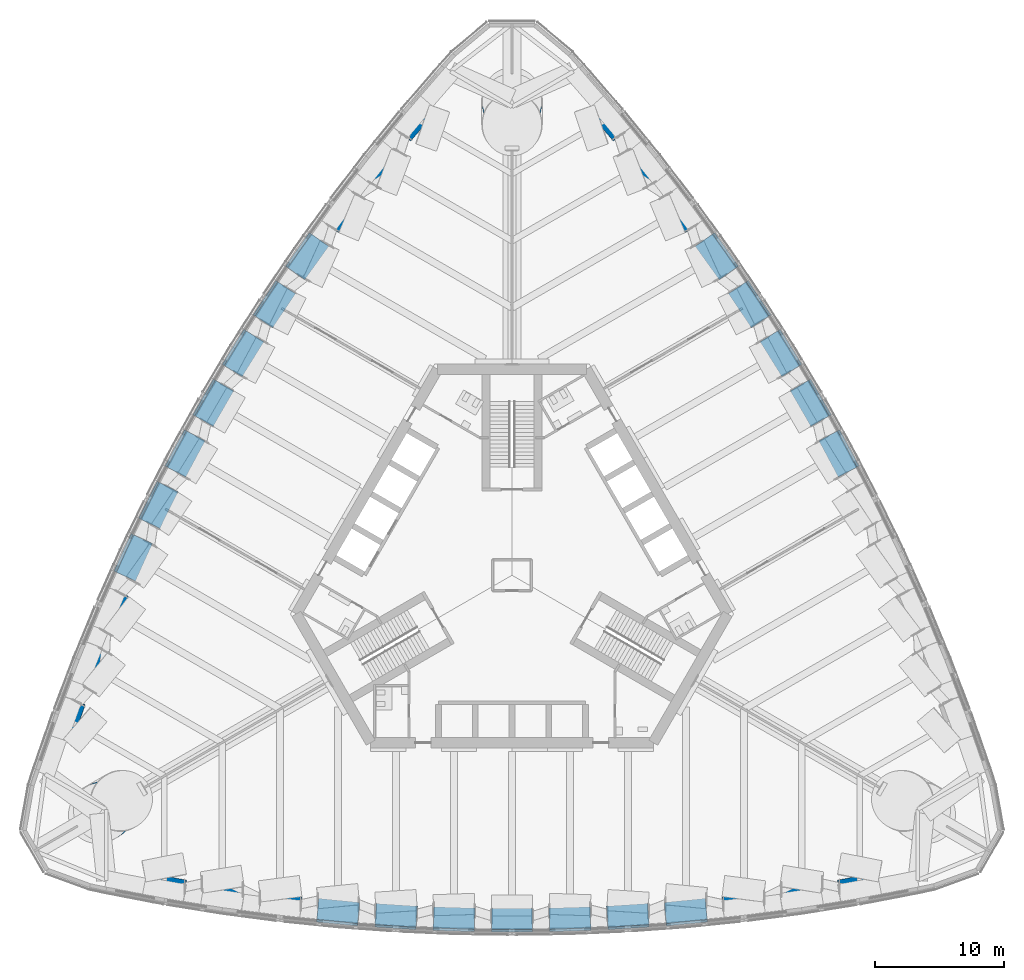
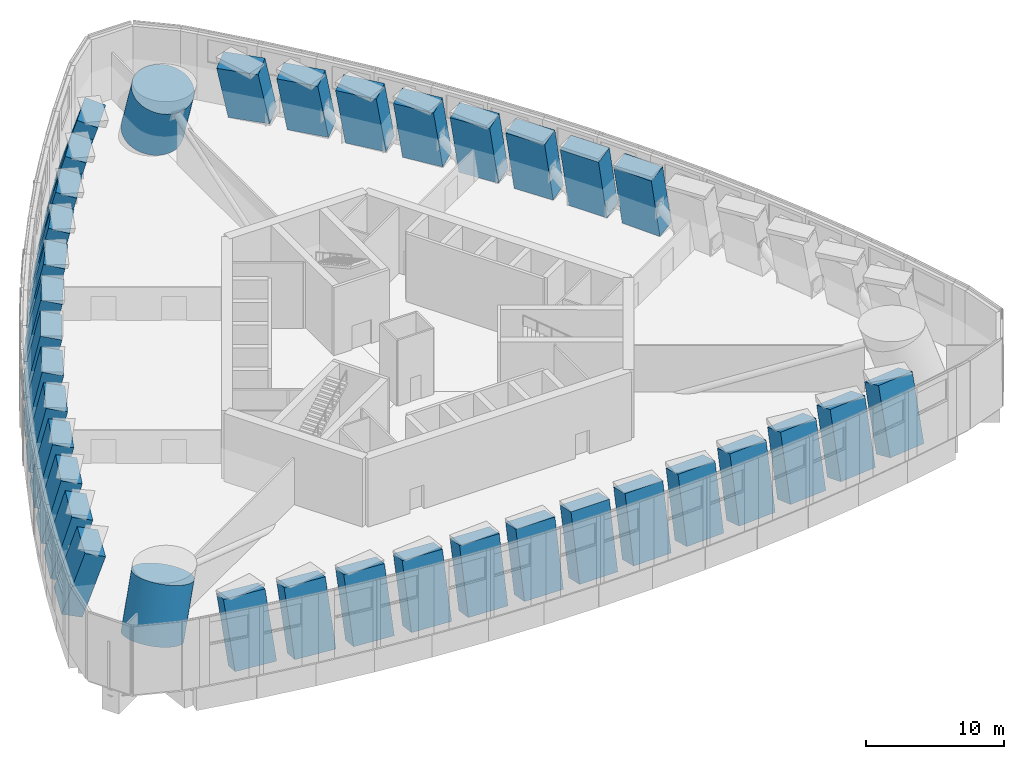
# One storey, part 1 of 28: 36 columns.
"""IFC4 building model written with IfcOpenShell, lengths in metres."""

from ifc_helpers import new_model, si_unit, direction, frame, origin, origin_2d, place, context, subcontext, project, spatial, rectangle, circle, extrude, clip, halfspace, material, material_profile, profile_set, type_object, element, save


model = new_model("IFC4")

# Units and contexts
model_context = context("Model", 3, precision=1e-05, world=origin(), true_north=direction((0.0, 1.0)))
body_context = subcontext(model_context, "Body", "Model", "MODEL_VIEW")
ifc_project = project(units=[si_unit("LENGTHUNIT", "METRE"), si_unit("AREAUNIT", "SQUARE_METRE"), si_unit("VOLUMEUNIT", "CUBIC_METRE"), si_unit("PLANEANGLEUNIT", "RADIAN"), si_unit("MASSUNIT", "GRAM", prefix="KILO")], contexts=[model_context])

# Site, building, storey
site_placement = place(None, origin())
site = spatial("IfcSite", under=ifc_project, at=site_placement, CompositionType="ELEMENT")
building_placement = place(site_placement, origin())
building = spatial("IfcBuilding", under=site, at=building_placement, Name="Trefoil Bronze Tower", CompositionType="ELEMENT")
storey_placement = place(building_placement, frame((0.0, 0.0, 92.10009765625)))
storey = spatial("IfcBuildingStorey", under=building, at=storey_placement, Name="L21", CompositionType="ELEMENT", Elevation=92.10009765625)

# Columns
ifc_material_1 = material(Name="Concrete B80", Category="concrete")
ifc_material_profile_1 = material_profile(ifc_material_1, circle(Radius=2.300048828125, at=origin_2d()), Name="RC D4600")
ifc_profile_set_1 = profile_set([ifc_material_profile_1], Name="Concrete B80")
column_type_1 = type_object("IfcColumnType", Name="Mega column RC D4600", PredefinedType="COLUMN", material=ifc_profile_set_1)
column_1_placement = place(storey_placement, frame((0.0, 37.0, 0.0), z_axis=(0.0, -0.316227766017, 0.948683298051), x_axis=(1.0, 0.0, 0.0)))
element("IfcColumn", 1, at=column_1_placement, inside=storey, type_object=column_type_1, Name="Mega column K2 L21", PredefinedType="COLUMN", context=body_context, shape_type="Clipping", body=[
    clip(clip(extrude(circle(Radius=2.300048828125, at=origin_2d()), origin(), (0.0, 0.0, 1.0), 6.324462890625), halfspace(frame((0.0, 0.0, 0.767578125), z_axis=(0.0, 0.0, 1.0), x_axis=(0.0, 1.0, 0.0)), True)), halfspace(frame((0.0, 0.0, 5.556884765625), z_axis=(0.0, 0.0, -1.0), x_axis=(0.0, -1.0, 0.0)), True)),
])
column_2_placement = place(storey_placement, frame((-32.04296875, -18.5, 0.0), z_axis=(0.273879842323, 0.158113013975, 0.948678083852), x_axis=(-0.499972520799, 0.866041268327, 0.0)))
element("IfcColumn", 2, at=column_2_placement, inside=storey, type_object=column_type_1, Name="Mega column K3 L21", PredefinedType="COLUMN", context=body_context, shape_type="Clipping", body=[
    clip(clip(extrude(circle(Radius=2.300048828125, at=origin_2d()), origin(), (0.0, 0.0, 1.0), 6.32470703125), halfspace(frame((0.0, 0.0, 0.767578125), z_axis=(1.0033762616878938e-05, 1.6488271940395816e-05, 0.9999999998137303), x_axis=(0.0, 0.9999999998640685, -1.6488271941225806e-05)), True)), halfspace(frame((0.0, 0.0, 5.556884765625), z_axis=(-1.0033762616878938e-05, -1.6488271940395816e-05, -0.9999999998137303), x_axis=(0.0, -0.9999999998640685, 1.6488271941225806e-05)), True)),
])
ifc_material_2 = material(Name="Concrete B80", Category="concrete")
ifc_material_profile_2 = material_profile(ifc_material_2, rectangle(XDim=3.199951171875, YDim=1.60009765625, at=origin_2d()), Name="RC 3200x1600")
ifc_profile_set_2 = profile_set([ifc_material_profile_2], Name="Concrete B80")
column_type_2 = type_object("IfcColumnType", Name="Tube column RC 3200x1600", PredefinedType="COLUMN", material=ifc_profile_set_2)
column_3_placement = place(storey_placement, frame((-27.0, -24.56787109375, 0.0), z_axis=(0.0, 0.30053695487, 0.953770170826), x_axis=(0.982838110914, -0.175942156194, 0.055440106509)))
element("IfcColumn", 3, at=column_3_placement, inside=storey, type_object=column_type_2, Name="Tube column F1/-6 L21", PredefinedType="COLUMN", context=body_context, shape_type="Clipping", body=[
    clip(clip(extrude(rectangle(XDim=3.199951171875, YDim=1.60009765625, at=origin_2d()), origin(), (0.0, 0.0, 1.0), 6.290771484375), halfspace(frame((0.0, 0.0, 0.341552734375), z_axis=(-3.2847543766298393e-06, 1.7500832742156636e-05, 0.9999999998414657), x_axis=(0.0, 0.9999999998468605, -1.750083274225105e-05)), True)), halfspace(frame((0.0, 0.0, 5.948974609375), z_axis=(3.2847543766298393e-06, -1.7500832742156636e-05, -0.9999999998414657), x_axis=(0.0, -0.9999999998468605, 1.750083274225105e-05)), True)),
])
column_4_placement = place(storey_placement, frame((-22.5, -25.29931640625, 0.0), z_axis=(0.0, 0.273609589814, 0.961840835254), x_axis=(0.987654538404, -0.150670187934, 0.042860322422)))
element("IfcColumn", 4, at=column_4_placement, inside=storey, type_object=column_type_2, Name="Tube column F1/-5 L21", PredefinedType="COLUMN", context=body_context, shape_type="Clipping", body=[
    clip(clip(extrude(rectangle(XDim=3.199951171875, YDim=1.60009765625, at=origin_2d()), origin(), (0.0, 0.0, 1.0), 6.238037109375), halfspace(frame((0.0, 0.0, 0.296875), z_axis=(9.26665270004068e-07, -5.84256875185707e-06, 0.9999999999825029), x_axis=(0.0, 0.9999999999829322, 5.842568751859578e-06)), True)), halfspace(frame((0.0, 0.0, 5.94091796875), z_axis=(-9.26665270004068e-07, 5.84256875185707e-06, -0.9999999999825029), x_axis=(0.0, -0.9999999999829322, -5.842568751859578e-06)), True)),
])
column_5_placement = place(storey_placement, frame((-18.0, -25.895263671875, 0.0), z_axis=(0.0, 0.251347573911, 0.967896893832), x_axis=(0.99202489659, -0.121995732405, 0.031680369638)))
element("IfcColumn", 5, at=column_5_placement, inside=storey, type_object=column_type_2, Name="Tube column F1/-4 L21", PredefinedType="COLUMN", context=body_context, shape_type="Clipping", body=[
    clip(clip(extrude(rectangle(XDim=3.199951171875, YDim=1.60009765625, at=origin_2d()), origin(), (0.0, 0.0, 1.0), 6.198974609375), halfspace(frame((0.0, 0.0, 0.25927734375), z_axis=(1.1412695798511396e-06, -8.982459558687372e-06, 0.9999999999590065), x_axis=(0.0, 0.9999999999596577, 8.982459558693222e-06)), True)), halfspace(frame((0.0, 0.0, 5.939453125), z_axis=(-1.1412695798511396e-06, 8.982459558687372e-06, -0.9999999999590065), x_axis=(0.0, -0.9999999999596577, -8.982459558693222e-06)), True)),
])
column_6_placement = place(storey_placement, frame((-13.5, -26.35693359375, 0.0), z_axis=(0.0, 0.233962430988, 0.972245638142), x_axis=(0.995484390526, -0.092290788963, 0.022208973223)))
element("IfcColumn", 6, at=column_6_placement, inside=storey, type_object=column_type_2, Name="Tube column F1/-3 L21", PredefinedType="COLUMN", context=body_context, shape_type="Clipping", body=[
    clip(clip(extrude(rectangle(XDim=3.199951171875, YDim=1.60009765625, at=origin_2d()), origin(), (0.0, 0.0, 1.0), 6.17138671875), halfspace(frame((0.0, 0.0, 0.22900390625), z_axis=(-7.961173195819571e-07, 8.348898311999475e-06, 0.999999999964831), x_axis=(0.0, 0.999999999965148, -8.348898312002121e-06)), True)), halfspace(frame((0.0, 0.0, 5.94189453125), z_axis=(7.961173195819571e-07, -8.348898311999475e-06, -0.999999999964831), x_axis=(0.0, -0.999999999965148, 8.348898312002121e-06)), True)),
])
column_7_placement = place(storey_placement, frame((-9.0, -26.68603515625, 0.0), z_axis=(0.0, 0.221566223375, 0.975145326943), x_axis=(0.997984339214, -0.061883391518, 0.014060744557)))
element("IfcColumn", 7, at=column_7_placement, inside=storey, type_object=column_type_2, Name="Tube column F1/-2 L21", PredefinedType="COLUMN", context=body_context, shape_type="Clipping", body=[
    clip(clip(extrude(rectangle(XDim=3.199951171875, YDim=1.60009765625, at=origin_2d()), origin(), (0.0, 0.0, 1.0), 6.15283203125), halfspace(frame((0.0, 0.0, 0.205322265625), z_axis=(1.2096909779088507e-06, -1.90236306124858e-05, 0.9999999998183191), x_axis=(0.0, 0.9999999998190507, 1.902363061249972e-05)), True)), halfspace(frame((0.0, 0.0, 5.947265625), z_axis=(-1.2096909779088507e-06, 1.90236306124858e-05, -0.9999999998183191), x_axis=(0.0, -0.9999999998190507, -1.902363061249972e-05)), True)),
])
column_8_placement = place(storey_placement, frame((-4.5, -26.883056640625, 0.0), z_axis=(0.0, 0.21407617963, 0.976816968175), x_axis=(0.999494845392, -0.031044559284, 0.006803629407)))
element("IfcColumn", 8, at=column_8_placement, inside=storey, type_object=column_type_2, Name="Tube column F1/-1 L21", PredefinedType="COLUMN", context=body_context, shape_type="Clipping", body=[
    clip(clip(extrude(rectangle(XDim=3.199951171875, YDim=1.60009765625, at=origin_2d()), origin(), (0.0, 0.0, 1.0), 6.142333984375), halfspace(frame((0.0, 0.0, 0.187255859375), z_axis=(-4.4783653662186507e-07, 1.4084057108593173e-05, 0.9999999999007194), x_axis=(0.0, 0.9999999999008197, -1.4084057108594584e-05)), True)), halfspace(frame((0.0, 0.0, 5.954833984375), z_axis=(4.4783653662186507e-07, -1.4084057108593173e-05, -0.9999999999007194), x_axis=(0.0, -0.9999999999008197, 1.4084057108594584e-05)), True)),
])
column_9_placement = place(storey_placement, frame((0.0, -26.94873046875, 0.0), z_axis=(0.0, 0.211608999998, 0.977354404052), x_axis=(1.0, 0.0, 0.0)))
element("IfcColumn", 9, at=column_9_placement, inside=storey, type_object=column_type_2, Name="Tube column F1/+0 L21", PredefinedType="COLUMN", context=body_context, shape_type="Clipping", body=[
    clip(clip(extrude(rectangle(XDim=3.199951171875, YDim=1.60009765625, at=origin_2d()), origin(), (0.0, 0.0, 1.0), 6.138916015625), halfspace(frame((0.0, 0.0, 0.174072265625), z_axis=(6.659859586810649e-22, -5.438188048573211e-06, 0.999999999985213), x_axis=(0.0, 0.999999999985213, 5.438188048573211e-06)), True)), halfspace(frame((0.0, 0.0, 5.964599609375), z_axis=(-6.659859586810649e-22, 5.438188048573211e-06, -0.999999999985213), x_axis=(0.0, -0.999999999985213, -5.438188048573211e-06)), True)),
])
column_10_placement = place(storey_placement, frame((4.5, -26.883056640625, 0.0), z_axis=(0.0, 0.21407617963, 0.976816968175), x_axis=(0.999494845392, 0.031044559284, -0.006803629407)))
element("IfcColumn", 10, at=column_10_placement, inside=storey, type_object=column_type_2, Name="Tube column F1/+1 L21", PredefinedType="COLUMN", context=body_context, shape_type="Clipping", body=[
    clip(clip(extrude(rectangle(XDim=3.199951171875, YDim=1.60009765625, at=origin_2d()), origin(), (0.0, 0.0, 1.0), 6.142333984375), halfspace(frame((0.0, 0.0, 0.187255859375), z_axis=(4.4783653662186507e-07, 1.4084057108593173e-05, 0.9999999999007194), x_axis=(0.0, 0.9999999999008197, -1.4084057108594584e-05)), True)), halfspace(frame((0.0, 0.0, 5.954833984375), z_axis=(-4.4783653662186507e-07, -1.4084057108593173e-05, -0.9999999999007194), x_axis=(0.0, -0.9999999999008197, 1.4084057108594584e-05)), True)),
])
column_11_placement = place(storey_placement, frame((9.0, -26.68603515625, 0.0), z_axis=(0.0, 0.221566223375, 0.975145326943), x_axis=(0.997984339214, 0.061883391518, -0.014060744557)))
element("IfcColumn", 11, at=column_11_placement, inside=storey, type_object=column_type_2, Name="Tube column F1/+2 L21", PredefinedType="COLUMN", context=body_context, shape_type="Clipping", body=[
    clip(clip(extrude(rectangle(XDim=3.199951171875, YDim=1.60009765625, at=origin_2d()), origin(), (0.0, 0.0, 1.0), 6.15283203125), halfspace(frame((0.0, 0.0, 0.205322265625), z_axis=(-1.2096909779088507e-06, -1.90236306124858e-05, 0.9999999998183191), x_axis=(0.0, 0.9999999998190507, 1.902363061249972e-05)), True)), halfspace(frame((0.0, 0.0, 5.947265625), z_axis=(1.2096909779088507e-06, 1.90236306124858e-05, -0.9999999998183191), x_axis=(0.0, -0.9999999998190507, -1.902363061249972e-05)), True)),
])
column_12_placement = place(storey_placement, frame((13.5, -26.35693359375, 0.0), z_axis=(0.0, 0.233962430988, 0.972245638142), x_axis=(0.995484390526, 0.092290788963, -0.022208973223)))
element("IfcColumn", 12, at=column_12_placement, inside=storey, type_object=column_type_2, Name="Tube column F1/+3 L21", PredefinedType="COLUMN", context=body_context, shape_type="Clipping", body=[
    clip(clip(extrude(rectangle(XDim=3.199951171875, YDim=1.60009765625, at=origin_2d()), origin(), (0.0, 0.0, 1.0), 6.17138671875), halfspace(frame((0.0, 0.0, 0.22900390625), z_axis=(7.961173195819571e-07, 8.348898311999475e-06, 0.999999999964831), x_axis=(0.0, 0.999999999965148, -8.348898312002121e-06)), True)), halfspace(frame((0.0, 0.0, 5.94189453125), z_axis=(-7.961173195819571e-07, -8.348898311999475e-06, -0.999999999964831), x_axis=(0.0, -0.999999999965148, 8.348898312002121e-06)), True)),
])
column_13_placement = place(storey_placement, frame((18.0, -25.895263671875, 0.0), z_axis=(0.0, 0.251347573911, 0.967896893832), x_axis=(0.99202489659, 0.121995732405, -0.031680369638)))
element("IfcColumn", 13, at=column_13_placement, inside=storey, type_object=column_type_2, Name="Tube column F1/+4 L21", PredefinedType="COLUMN", context=body_context, shape_type="Clipping", body=[
    clip(clip(extrude(rectangle(XDim=3.199951171875, YDim=1.60009765625, at=origin_2d()), origin(), (0.0, 0.0, 1.0), 6.198974609375), halfspace(frame((0.0, 0.0, 0.25927734375), z_axis=(-1.1412695798511396e-06, -8.982459558687372e-06, 0.9999999999590065), x_axis=(0.0, 0.9999999999596577, 8.982459558693222e-06)), True)), halfspace(frame((0.0, 0.0, 5.939453125), z_axis=(1.1412695798511396e-06, 8.982459558687372e-06, -0.9999999999590065), x_axis=(0.0, -0.9999999999596577, -8.982459558693222e-06)), True)),
])
column_14_placement = place(storey_placement, frame((22.5, -25.29931640625, 0.0), z_axis=(0.0, 0.273609589814, 0.961840835254), x_axis=(0.987654538404, 0.150670187934, -0.042860322422)))
element("IfcColumn", 14, at=column_14_placement, inside=storey, type_object=column_type_2, Name="Tube column F1/+5 L21", PredefinedType="COLUMN", context=body_context, shape_type="Clipping", body=[
    clip(clip(extrude(rectangle(XDim=3.199951171875, YDim=1.60009765625, at=origin_2d()), origin(), (0.0, 0.0, 1.0), 6.238037109375), halfspace(frame((0.0, 0.0, 0.296875), z_axis=(-9.26665270004068e-07, -5.84256875185707e-06, 0.9999999999825029), x_axis=(0.0, 0.9999999999829322, 5.842568751859578e-06)), True)), halfspace(frame((0.0, 0.0, 5.94091796875), z_axis=(9.26665270004068e-07, 5.84256875185707e-06, -0.9999999999825029), x_axis=(0.0, -0.9999999999829322, -5.842568751859578e-06)), True)),
])
column_15_placement = place(storey_placement, frame((27.0, -24.56787109375, 0.0), z_axis=(0.0, 0.30053695487, 0.953770170826), x_axis=(0.982838110914, 0.175942156194, -0.055440106509)))
element("IfcColumn", 15, at=column_15_placement, inside=storey, type_object=column_type_2, Name="Tube column F1/+6 L21", PredefinedType="COLUMN", context=body_context, shape_type="Clipping", body=[
    clip(clip(extrude(rectangle(XDim=3.199951171875, YDim=1.60009765625, at=origin_2d()), origin(), (0.0, 0.0, 1.0), 6.290771484375), halfspace(frame((0.0, 0.0, 0.341552734375), z_axis=(3.2847543766298393e-06, 1.7500832742156636e-05, 0.9999999998414657), x_axis=(0.0, 0.9999999998468605, -1.750083274225105e-05)), True)), halfspace(frame((0.0, 0.0, 5.948974609375), z_axis=(-3.2847543766298393e-06, -1.7500832742156636e-05, -0.9999999998414657), x_axis=(0.0, -0.9999999998468605, 1.750083274225105e-05)), True)),
])
column_16_placement = place(storey_placement, frame((25.531494140625, 9.54443359375, 0.0), z_axis=(-0.185417945913, -0.107037626655, 0.976812741427), x_axis=(-0.472814137091, 0.881135911226, 0.006804242326)))
element("IfcColumn", 16, at=column_16_placement, inside=storey, type_object=column_type_2, Name="Tube column F2/-1 L21", PredefinedType="COLUMN", context=body_context, shape_type="Clipping", body=[
    clip(clip(extrude(rectangle(XDim=3.199951171875, YDim=1.60009765625, at=origin_2d()), origin(), (0.0, 0.0, 1.0), 6.142333984375), halfspace(frame((0.0, 0.0, 0.187255859375), z_axis=(-1.1482898320344485e-05, -6.019683504304707e-06, 0.9999999999159532), x_axis=(0.0, 0.9999999999818817, 6.019683504701576e-06)), True)), halfspace(frame((0.0, 0.0, 5.954833984375), z_axis=(1.1482898320344485e-05, 6.019683504304707e-06, -0.9999999999159532), x_axis=(0.0, -0.9999999999818817, -6.019683504701576e-06)), True)),
])
column_17_placement = place(storey_placement, frame((23.33837890625, 13.474365234375, 0.0), z_axis=(-0.183254498096, -0.105784931626, 0.977357323177), x_axis=(-0.499939380126, 0.866060399857, 0.0)))
element("IfcColumn", 17, at=column_17_placement, inside=storey, type_object=column_type_2, Name="Tube column F2/+0 L21", PredefinedType="COLUMN", context=body_context, shape_type="Clipping", body=[
    clip(clip(extrude(rectangle(XDim=3.199951171875, YDim=1.60009765625, at=origin_2d()), origin(), (0.0, 0.0, 1.0), 6.138916015625), halfspace(frame((0.0, 0.0, 0.174072265625), z_axis=(-1.4810932677108633e-05, 8.35661905923546e-06, 0.9999999998554017), x_axis=(0.0, 0.9999999999650835, -8.356619060152029e-06)), True)), halfspace(frame((0.0, 0.000244140625, 5.96484375), z_axis=(1.4810932677108633e-05, -8.35661905923546e-06, -0.9999999998554017), x_axis=(0.0, -0.9999999999650835, 8.356619060152029e-06)), True)),
])
column_18_placement = place(storey_placement, frame((21.031494140625, 17.338623046875, 0.0), z_axis=(-0.185417945913, -0.107037626655, 0.976812741427), x_axis=(-0.526586350374, 0.850094417042, -0.006804242326)))
element("IfcColumn", 18, at=column_18_placement, inside=storey, type_object=column_type_2, Name="Tube column F2/+1 L21", PredefinedType="COLUMN", context=body_context, shape_type="Clipping", body=[
    clip(clip(extrude(rectangle(XDim=3.199951171875, YDim=1.60009765625, at=origin_2d()), origin(), (0.0, 0.0, 1.0), 6.142333984375), halfspace(frame((0.0, 0.0, 0.187255859375), z_axis=(-1.1842135642686942e-05, -5.278007838949161e-06, 0.9999999999159532), x_axis=(0.0, 0.9999999999860714, 5.278007839319245e-06)), True)), halfspace(frame((0.0, 0.0, 5.954833984375), z_axis=(1.1842135642686942e-05, 5.278007838949161e-06, -0.9999999999159532), x_axis=(0.0, -0.9999999999860714, -5.278007839319245e-06)), True)),
])
column_19_placement = place(storey_placement, frame((18.61083984375, 21.13720703125, 0.0), z_axis=(-0.191886340443, -0.110783015409, 0.975144479474), x_axis=(-0.552576194945, 0.833343769153, -0.014060981253)))
element("IfcColumn", 19, at=column_19_placement, inside=storey, type_object=column_type_2, Name="Tube column F2/+2 L21", PredefinedType="COLUMN", context=body_context, shape_type="Clipping", body=[
    clip(clip(extrude(rectangle(XDim=3.199951171875, YDim=1.60009765625, at=origin_2d()), origin(), (0.0, 0.0, 1.0), 6.15283203125), halfspace(frame((0.0, 0.0, 0.205322265625), z_axis=(-3.711813696356814e-06, -2.269742593100088e-05, 0.9999999997355247), x_axis=(0.0, 0.9999999997424135, 2.269742593115724e-05)), True)), halfspace(frame((0.0, 0.0, 5.947265625), z_axis=(3.711813696356814e-06, 2.269742593100088e-05, -0.9999999997355247), x_axis=(0.0, -0.9999999997424135, -2.269742593115724e-05)), True)),
])
column_20_placement = place(storey_placement, frame((16.075927734375, 24.869873046875, 0.0), z_axis=(-0.20262976704, -0.116980910023, 0.972243099332), x_axis=(-0.577645682079, 0.81598540612, -0.022209974679)))
element("IfcColumn", 20, at=column_20_placement, inside=storey, type_object=column_type_2, Name="Tube column F2/+3 L21", PredefinedType="COLUMN", context=body_context, shape_type="Clipping", body=[
    clip(clip(extrude(rectangle(XDim=3.199951171875, YDim=1.60009765625, at=origin_2d()), origin(), (0.0, 0.0, 1.0), 6.17138671875), halfspace(frame((0.0, 0.000244140625, 0.229248046875), z_axis=(-6.6490654311614225e-06, -1.841628814169827e-06, 0.9999999999761991), x_axis=(0.0, 0.9999999999983042, 1.8416288142105364e-06)), True)), halfspace(frame((0.0, 0.000244140625, 5.942138671875), z_axis=(6.6490654311614225e-06, 1.841628814169827e-06, -0.9999999999761991), x_axis=(0.0, -0.9999999999983042, -1.8416288142105364e-06)), True)),
])
column_21_placement = place(storey_placement, frame((13.42578125, 28.5361328125, 0.0), z_axis=(-0.217636836674, -0.125674836379, 0.967904976133), x_axis=(-0.601725651442, 0.798074459643, -0.031676446499)))
element("IfcColumn", 21, at=column_21_placement, inside=storey, type_object=column_type_2, Name="Tube column F2/+4 L21", PredefinedType="COLUMN", context=body_context, shape_type="Clipping", body=[
    clip(clip(extrude(rectangle(XDim=3.199951171875, YDim=1.60009765625, at=origin_2d()), origin(), (0.0, 0.0, 1.0), 6.198974609375), halfspace(frame((0.0, 0.0, 0.25927734375), z_axis=(2.1942927783215323e-05, 2.0499894571701646e-05, 0.9999999995491311), x_axis=(0.0, 0.9999999997898772, -2.0499894576636914e-05)), True)), halfspace(frame((0.0, 0.000244140625, 5.939453125), z_axis=(-2.1942927783215323e-05, -2.0499894571701646e-05, -0.9999999995491311), x_axis=(0.0, -0.9999999997898772, 2.0499894576636914e-05)), True)),
])
column_22_placement = place(storey_placement, frame((10.659912109375, 32.13525390625, 0.0), z_axis=(-0.236939319597, -0.136786078955, 0.961846831586), x_axis=(-0.624285377749, 0.780019899069, -0.042857020249)))
element("IfcColumn", 22, at=column_22_placement, inside=storey, type_object=column_type_2, Name="Tube column F2/+5 L21", PredefinedType="COLUMN", context=body_context, shape_type="Clipping", body=[
    clip(clip(extrude(rectangle(XDim=3.199951171875, YDim=1.60009765625, at=origin_2d()), origin(), (0.0, 0.0, 1.0), 6.238037109375), halfspace(frame((0.0, 0.0, 0.296875), z_axis=(-6.818020812683623e-06, 1.7282144695263124e-05, 0.9999999998274212), x_axis=(0.0, 0.9999999998506638, -1.7282144695664807e-05)), True)), halfspace(frame((0.0, 0.000244140625, 5.94091796875), z_axis=(6.818020812683623e-06, -1.7282144695263124e-05, -0.9999999998274212), x_axis=(0.0, -0.9999999998506638, 1.7282144695664807e-05)), True)),
])
column_23_placement = place(storey_placement, frame((7.7763671875, 35.666748046875, 0.0), z_axis=(-0.260253003307, -0.150307169968, 0.953769431742), x_axis=(-0.643899329697, 0.763098944981, -0.055440539186)))
element("IfcColumn", 23, at=column_23_placement, inside=storey, type_object=column_type_2, Name="Tube column F2/+6 L21", PredefinedType="COLUMN", context=body_context, shape_type="Clipping", body=[
    clip(clip(extrude(rectangle(XDim=3.199951171875, YDim=1.60009765625, at=origin_2d()), origin(), (0.0, 0.0, 1.0), 6.290771484375), halfspace(frame((0.0, 0.0, 0.341552734375), z_axis=(4.541465322707716e-05, 7.087809625216934e-06, 0.9999999989436362), x_axis=(0.0, 0.9999999999748815, -7.087809632526204e-06)), True)), halfspace(frame((0.000244140625, 0.0, 5.948974609375), z_axis=(-4.541465322707716e-05, -7.087809625216934e-06, -0.9999999989436362), x_axis=(0.0, -0.9999999999748815, 7.087809632526204e-06)), True)),
])
column_24_placement = place(storey_placement, frame((-7.7763671875, 35.666748046875, 0.0), z_axis=(0.260253003307, -0.150307169968, 0.953769431742), x_axis=(-0.643899329697, -0.763098944981, 0.055440539186)))
element("IfcColumn", 24, at=column_24_placement, inside=storey, type_object=column_type_2, Name="Tube column F3/-6 L21", PredefinedType="COLUMN", context=body_context, shape_type="Clipping", body=[
    clip(clip(extrude(rectangle(XDim=3.199951171875, YDim=1.60009765625, at=origin_2d()), origin(), (0.0, 0.0, 1.0), 6.290771484375), halfspace(frame((0.0, 0.0, 0.341552734375), z_axis=(-4.541465322707716e-05, 7.087809625216934e-06, 0.9999999989436362), x_axis=(0.0, 0.9999999999748815, -7.087809632526204e-06)), True)), halfspace(frame((-0.000244140625, 0.0, 5.948974609375), z_axis=(4.541465322707716e-05, -7.087809625216934e-06, -0.9999999989436362), x_axis=(0.0, -0.9999999999748815, 7.087809632526204e-06)), True)),
])
column_25_placement = place(storey_placement, frame((-10.659912109375, 32.13525390625, 0.0), z_axis=(0.236939319597, -0.136786078955, 0.961846831586), x_axis=(-0.624285377749, -0.780019899069, 0.042857020249)))
element("IfcColumn", 25, at=column_25_placement, inside=storey, type_object=column_type_2, Name="Tube column F3/-5 L21", PredefinedType="COLUMN", context=body_context, shape_type="Clipping", body=[
    clip(clip(extrude(rectangle(XDim=3.199951171875, YDim=1.60009765625, at=origin_2d()), origin(), (0.0, 0.0, 1.0), 6.238037109375), halfspace(frame((0.0, 0.0, 0.296875), z_axis=(6.818020812683623e-06, 1.7282144695263124e-05, 0.9999999998274212), x_axis=(0.0, 0.9999999998506638, -1.7282144695664807e-05)), True)), halfspace(frame((0.0, 0.000244140625, 5.94091796875), z_axis=(-6.818020812683623e-06, -1.7282144695263124e-05, -0.9999999998274212), x_axis=(0.0, -0.9999999998506638, 1.7282144695664807e-05)), True)),
])
column_26_placement = place(storey_placement, frame((-13.42578125, 28.5361328125, 0.0), z_axis=(0.217636836674, -0.125674836379, 0.967904976133), x_axis=(-0.601725651442, -0.798074459643, 0.031676446499)))
element("IfcColumn", 26, at=column_26_placement, inside=storey, type_object=column_type_2, Name="Tube column F3/-4 L21", PredefinedType="COLUMN", context=body_context, shape_type="Clipping", body=[
    clip(clip(extrude(rectangle(XDim=3.199951171875, YDim=1.60009765625, at=origin_2d()), origin(), (0.0, 0.0, 1.0), 6.198974609375), halfspace(frame((0.0, 0.0, 0.25927734375), z_axis=(-2.1942927783215323e-05, 2.0499894571701646e-05, 0.9999999995491311), x_axis=(0.0, 0.9999999997898772, -2.0499894576636914e-05)), True)), halfspace(frame((0.0, 0.000244140625, 5.939453125), z_axis=(2.1942927783215323e-05, -2.0499894571701646e-05, -0.9999999995491311), x_axis=(0.0, -0.9999999997898772, 2.0499894576636914e-05)), True)),
])
column_27_placement = place(storey_placement, frame((-16.075927734375, 24.869873046875, 0.0), z_axis=(0.20262976704, -0.116980910023, 0.972243099332), x_axis=(-0.577645682079, -0.81598540612, 0.022209974679)))
element("IfcColumn", 27, at=column_27_placement, inside=storey, type_object=column_type_2, Name="Tube column F3/-3 L21", PredefinedType="COLUMN", context=body_context, shape_type="Clipping", body=[
    clip(clip(extrude(rectangle(XDim=3.199951171875, YDim=1.60009765625, at=origin_2d()), origin(), (0.0, 0.0, 1.0), 6.17138671875), halfspace(frame((0.0, 0.000244140625, 0.229248046875), z_axis=(6.6490654311614225e-06, -1.841628814169827e-06, 0.9999999999761991), x_axis=(0.0, 0.9999999999983042, 1.8416288142105364e-06)), True)), halfspace(frame((0.0, 0.000244140625, 5.942138671875), z_axis=(-6.6490654311614225e-06, 1.841628814169827e-06, -0.9999999999761991), x_axis=(0.0, -0.9999999999983042, -1.8416288142105364e-06)), True)),
])
column_28_placement = place(storey_placement, frame((-18.61083984375, 21.13720703125, 0.0), z_axis=(0.191886340443, -0.110783015409, 0.975144479474), x_axis=(-0.552576194945, -0.833343769153, 0.014060981253)))
element("IfcColumn", 28, at=column_28_placement, inside=storey, type_object=column_type_2, Name="Tube column F3/-2 L21", PredefinedType="COLUMN", context=body_context, shape_type="Clipping", body=[
    clip(clip(extrude(rectangle(XDim=3.199951171875, YDim=1.60009765625, at=origin_2d()), origin(), (0.0, 0.0, 1.0), 6.15283203125), halfspace(frame((0.0, 0.0, 0.205322265625), z_axis=(3.711813696356814e-06, -2.269742593100088e-05, 0.9999999997355247), x_axis=(0.0, 0.9999999997424135, 2.269742593115724e-05)), True)), halfspace(frame((0.0, 0.0, 5.947265625), z_axis=(-3.711813696356814e-06, 2.269742593100088e-05, -0.9999999997355247), x_axis=(0.0, -0.9999999997424135, -2.269742593115724e-05)), True)),
])
column_29_placement = place(storey_placement, frame((-21.031494140625, 17.338623046875, 0.0), z_axis=(0.185417945913, -0.107037626655, 0.976812741427), x_axis=(-0.526586350374, -0.850094417042, 0.006804242326)))
element("IfcColumn", 29, at=column_29_placement, inside=storey, type_object=column_type_2, Name="Tube column F3/-1 L21", PredefinedType="COLUMN", context=body_context, shape_type="Clipping", body=[
    clip(clip(extrude(rectangle(XDim=3.199951171875, YDim=1.60009765625, at=origin_2d()), origin(), (0.0, 0.0, 1.0), 6.142333984375), halfspace(frame((0.0, 0.0, 0.187255859375), z_axis=(1.1842135642686942e-05, -5.278007838949161e-06, 0.9999999999159532), x_axis=(0.0, 0.9999999999860714, 5.278007839319245e-06)), True)), halfspace(frame((0.0, 0.0, 5.954833984375), z_axis=(-1.1842135642686942e-05, 5.278007838949161e-06, -0.9999999999159532), x_axis=(0.0, -0.9999999999860714, -5.278007839319245e-06)), True)),
])
column_30_placement = place(storey_placement, frame((-23.33837890625, 13.474365234375, 0.0), z_axis=(0.183254498096, -0.105784931626, 0.977357323177), x_axis=(-0.499939380126, -0.866060399857, 0.0)))
element("IfcColumn", 30, at=column_30_placement, inside=storey, type_object=column_type_2, Name="Tube column F3/+0 L21", PredefinedType="COLUMN", context=body_context, shape_type="Clipping", body=[
    clip(clip(extrude(rectangle(XDim=3.199951171875, YDim=1.60009765625, at=origin_2d()), origin(), (0.0, 0.0, 1.0), 6.138916015625), halfspace(frame((0.0, 0.0, 0.174072265625), z_axis=(1.4810932677089896e-05, 8.35661905923546e-06, 0.9999999998554017), x_axis=(0.0, 0.9999999999650835, -8.356619060152029e-06)), True)), halfspace(frame((0.0, 0.000244140625, 5.96484375), z_axis=(-1.4810932677089896e-05, -8.35661905923546e-06, -0.9999999998554017), x_axis=(0.0, -0.9999999999650835, 8.356619060152029e-06)), True)),
])
column_31_placement = place(storey_placement, frame((-25.531494140625, 9.54443359375, 0.0), z_axis=(0.185417945913, -0.107037626655, 0.976812741427), x_axis=(-0.472814137091, -0.881135911226, -0.006804242326)))
element("IfcColumn", 31, at=column_31_placement, inside=storey, type_object=column_type_2, Name="Tube column F3/+1 L21", PredefinedType="COLUMN", context=body_context, shape_type="Clipping", body=[
    clip(clip(extrude(rectangle(XDim=3.199951171875, YDim=1.60009765625, at=origin_2d()), origin(), (0.0, 0.0, 1.0), 6.142333984375), halfspace(frame((0.0, 0.0, 0.187255859375), z_axis=(1.1482898320344485e-05, -6.019683504304707e-06, 0.9999999999159532), x_axis=(0.0, 0.9999999999818817, 6.019683504701576e-06)), True)), halfspace(frame((0.0, 0.0, 5.954833984375), z_axis=(-1.1482898320344485e-05, 6.019683504304707e-06, -0.9999999999159532), x_axis=(0.0, -0.9999999999818817, -6.019683504701576e-06)), True)),
])
column_32_placement = place(storey_placement, frame((-27.61083984375, 5.548828125, 0.0), z_axis=(0.191886340443, -0.110783015409, 0.975144479474), x_axis=(-0.445390477365, -0.895226011395, -0.014060981253)))
element("IfcColumn", 32, at=column_32_placement, inside=storey, type_object=column_type_2, Name="Tube column F3/+2 L21", PredefinedType="COLUMN", context=body_context, shape_type="Clipping", body=[
    clip(clip(extrude(rectangle(XDim=3.199951171875, YDim=1.60009765625, at=origin_2d()), origin(), (0.0, 0.0, 1.0), 6.15283203125), halfspace(frame((0.0, 0.0, 0.205322265625), z_axis=(8.069350751413462e-07, -2.2984768012629386e-05, 0.9999999997355247), x_axis=(0.0, 0.9999999997358503, 2.298476801263687e-05)), True)), halfspace(frame((0.0, 0.0, 5.947265625), z_axis=(-8.069350751413462e-07, 2.2984768012629386e-05, -0.9999999997355247), x_axis=(0.0, -0.9999999997358503, -2.298476801263687e-05)), True)),
])
column_33_placement = place(storey_placement, frame((-29.575927734375, 1.487060546875, 0.0), z_axis=(0.20262976704, -0.116980910023, 0.972243099332), x_axis=(-0.417791222298, -0.908271551682, -0.022209974679)))
element("IfcColumn", 33, at=column_33_placement, inside=storey, type_object=column_type_2, Name="Tube column F3/+3 L21", PredefinedType="COLUMN", context=body_context, shape_type="Clipping", body=[
    clip(clip(extrude(rectangle(XDim=3.199951171875, YDim=1.60009765625, at=origin_2d()), origin(), (0.0, 0.0, 1.0), 6.17138671875), halfspace(frame((-0.000244140625, 0.0, 0.22900390625), z_axis=(6.181182433073058e-06, -3.065069579338831e-06, 0.9999999999761991), x_axis=(0.0, 0.9999999999953028, 3.0650695793973846e-06)), True)), halfspace(frame((0.0, 0.0, 5.94189453125), z_axis=(-6.181182433073058e-06, 3.065069579338831e-06, -0.9999999999761991), x_axis=(0.0, -0.9999999999953028, -3.0650695793973846e-06)), True)),
])
column_34_placement = place(storey_placement, frame((-31.42578125, -2.640869140625, 0.0), z_axis=(0.217636836674, -0.125674836379, 0.967904976133), x_axis=(-0.390430392584, -0.920087338943, -0.031676446499)))
element("IfcColumn", 34, at=column_34_placement, inside=storey, type_object=column_type_2, Name="Tube column F3/+4 L21", PredefinedType="COLUMN", context=body_context, shape_type="Clipping", body=[
    clip(clip(extrude(rectangle(XDim=3.199951171875, YDim=1.60009765625, at=origin_2d()), origin(), (0.0, 0.0, 1.0), 6.198974609375), halfspace(frame((0.0, 0.0, 0.25927734375), z_axis=(-1.6119245002534085e-05, 2.5335897412520618e-05, 0.9999999995491311), x_axis=(0.0, 0.9999999996790462, -2.5335897415812134e-05)), True)), halfspace(frame((0.0, 0.0, 5.939453125), z_axis=(1.6119245002534085e-05, -2.5335897412520618e-05, -0.9999999995491311), x_axis=(0.0, -0.9999999996790462, 2.5335897415812134e-05)), True)),
])
column_35_placement = place(storey_placement, frame((-33.159912109375, -6.8359375, 0.0), z_axis=(0.236939319597, -0.136786078955, 0.961846831586), x_axis=(-0.363310131171, -0.930682021103, -0.042857020249)))
element("IfcColumn", 35, at=column_35_placement, inside=storey, type_object=column_type_2, Name="Tube column F3/+5 L21", PredefinedType="COLUMN", context=body_context, shape_type="Clipping", body=[
    clip(clip(extrude(rectangle(XDim=3.199951171875, YDim=1.60009765625, at=origin_2d()), origin(), (0.0, 0.0, 1.0), 6.238037109375), halfspace(frame((0.0, 0.0, 0.296875), z_axis=(1.1830986778905983e-05, 1.4324303993784593e-05, 0.9999999998274212), x_axis=(0.0, 0.9999999998974072, -1.4324303994787094e-05)), True)), halfspace(frame((0.0, 0.000244140625, 5.94091796875), z_axis=(-1.1830986778905983e-05, -1.4324303993784593e-05, -0.9999999998274212), x_axis=(0.0, -0.9999999998974072, 1.4324303994787094e-05)), True)),
])
column_36_placement = place(storey_placement, frame((-34.7763671875, -11.0986328125, 0.0), z_axis=(0.260253003307, -0.150307169968, 0.953769431742), x_axis=(-0.339184179186, -0.939084894567, -0.055440539186)))
element("IfcColumn", 36, at=column_36_placement, inside=storey, type_object=column_type_2, Name="Tube column F3/+6 L21", PredefinedType="COLUMN", context=body_context, shape_type="Clipping", body=[
    clip(clip(extrude(rectangle(XDim=3.199951171875, YDim=1.60009765625, at=origin_2d()), origin(), (0.0, 0.0, 1.0), 6.290771484375), halfspace(frame((0.0, 0.0, 0.341552734375), z_axis=(-3.97536991854075e-05, 2.3073170005383226e-05, 0.9999999989436362), x_axis=(0.0, 0.9999999997338145, -2.3073170023615142e-05)), True)), halfspace(frame((-0.000244140625, 0.0, 5.948974609375), z_axis=(3.97536991854075e-05, -2.3073170005383226e-05, -0.9999999989436362), x_axis=(0.0, -0.9999999997338145, 2.3073170023615142e-05)), True)),
])

save(model, "model.ifc")
